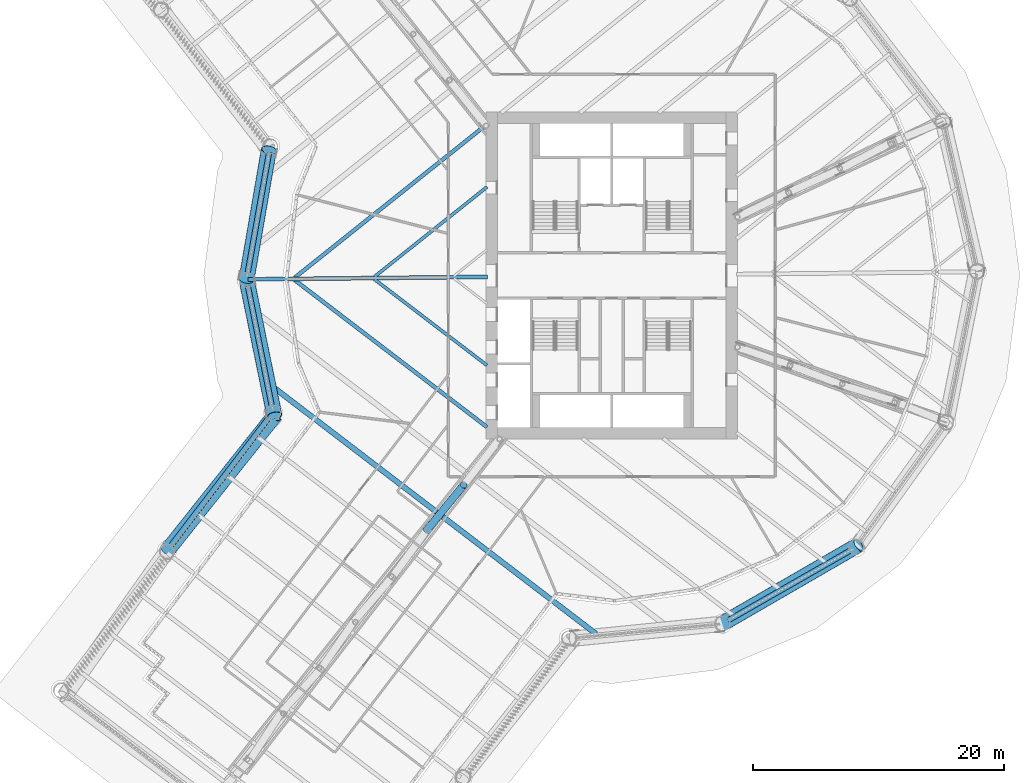
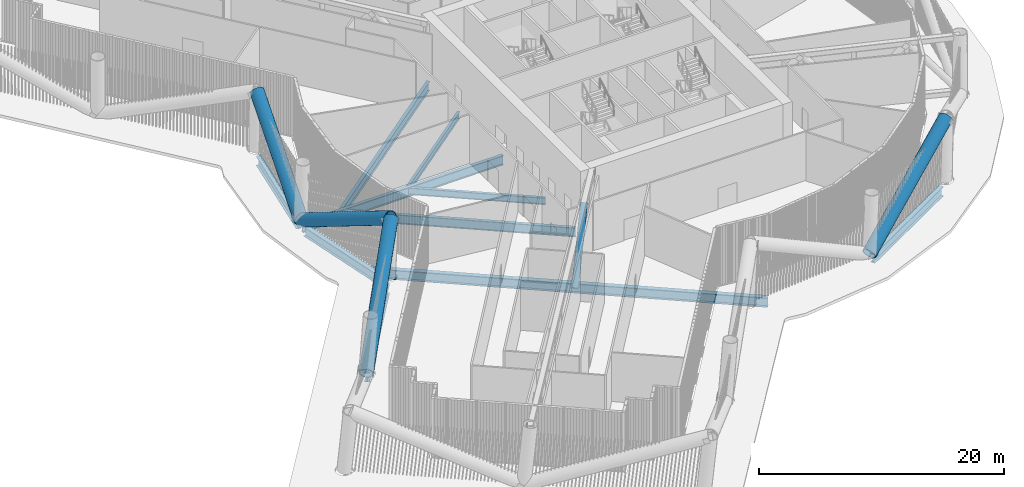
# One storey, part 4 of 48: 10 beams, 5 members.
"""IFC4 building model written with IfcOpenShell, lengths in metres."""

from ifc_helpers import new_model, si_unit, direction, frame, origin, origin_2d, place, context, subcontext, project, spatial, hollow_circle, i_section, extrude, material, material_profile, profile_set, type_object, element, save


model = new_model("IFC4")

# Units and contexts
model_context = context("Model", 3, precision=1e-05, world=origin(), true_north=direction((0.0, 1.0)))
body_context = subcontext(model_context, "Body", "Model", "MODEL_VIEW")
ifc_project = project(units=[si_unit("LENGTHUNIT", "METRE"), si_unit("AREAUNIT", "SQUARE_METRE"), si_unit("VOLUMEUNIT", "CUBIC_METRE"), si_unit("PLANEANGLEUNIT", "RADIAN"), si_unit("MASSUNIT", "GRAM", prefix="KILO")], contexts=[model_context])

# Site, building, storey
site_placement = place(None, origin())
site = spatial("IfcSite", under=ifc_project, at=site_placement, CompositionType="ELEMENT")
building_placement = place(site_placement, origin())
building = spatial("IfcBuilding", under=site, at=building_placement, Name="Tarsis Ring Headquarters", CompositionType="ELEMENT")
storey_placement = place(building_placement, frame((0.0, 0.0, 34.0)))
storey = spatial("IfcBuildingStorey", under=building, at=storey_placement, Name="L06", CompositionType="ELEMENT", Elevation=34.0)

# Beams
ifc_material_1 = material(Name="Structural steel S355", Category="steel")
ifc_material_profile_1 = material_profile(ifc_material_1, i_section(OverallWidth=0.2529296875, OverallDepth=0.67822265625, WebThickness=0.01171875, FlangeThickness=0.016357421875, at=origin_2d()), Name="W27x84")
ifc_profile_set_1 = profile_set([ifc_material_profile_1], Name="Structural steel S355")
beam_type_1 = type_object("IfcBeamType", Name="FB Floor beam W27x84", PredefinedType="JOIST", material=ifc_profile_set_1)
beam_1_placement = place(storey_placement, frame((-18.88232421875, -0.291015625, -0.63916015625), z_axis=(0.794400216555, -0.607394678885, 0.0), x_axis=(0.607394678885, 0.794400216555, 0.0)))
element("IfcBeam", 1, at=beam_1_placement, inside=storey, type_object=beam_type_1, Name="Floor beam FB5", PredefinedType="JOIST", context=body_context, shape_type="SweptSolid", body=[
    extrude(i_section(OverallWidth=0.2529296875, OverallDepth=0.67822265625, WebThickness=0.01171875, FlangeThickness=0.016357421875, at=origin_2d()), origin(), (0.0, 0.0, 1.0), 11.281005859375),
])
beam_2_placement = place(storey_placement, frame((-9.921875, 7.05029296875, -0.63916015625), z_axis=(-0.781512251412, -0.623889894848, 0.0), x_axis=(0.623889894848, -0.781512251412, 0.0)))
element("IfcBeam", 2, at=beam_2_placement, inside=storey, type_object=beam_type_1, Name="Floor beam FB5", PredefinedType="JOIST", context=body_context, shape_type="SweptSolid", body=[
    extrude(i_section(OverallWidth=0.2529296875, OverallDepth=0.67822265625, WebThickness=0.01171875, FlangeThickness=0.016357421875, at=origin_2d()), origin(), (0.0, 0.0, 1.0), 11.468017578125),
])
ifc_material_profile_2 = material_profile(ifc_material_1, i_section(OverallWidth=0.3046875, OverallDepth=0.904296875, WebThickness=0.01513671875, FlangeThickness=0.02001953125, at=origin_2d()), Name="W36x135")
ifc_profile_set_2 = profile_set([ifc_material_profile_2], Name="Structural steel S355")
beam_type_2 = type_object("IfcBeamType", Name="FB Floor beam W36x135", PredefinedType="JOIST", material=ifc_profile_set_2)
beam_3_placement = place(storey_placement, frame((-25.216796875, -0.357421875, -0.752197265625), z_axis=(0.794413614235, -0.607377155908, 0.0), x_axis=(0.607377155908, 0.794413614235, 0.0)))
element("IfcBeam", 3, at=beam_3_placement, inside=storey, type_object=beam_type_2, Name="Floor beam FB8", PredefinedType="JOIST", context=body_context, shape_type="SweptSolid", body=[
    extrude(i_section(OverallWidth=0.3046875, OverallDepth=0.904296875, WebThickness=0.01513671875, FlangeThickness=0.02001953125, at=origin_2d()), origin(), (0.0, 0.0, 1.0), 19.254638671875),
])
beam_4_placement = place(storey_placement, frame((-9.921875, 12.04052734375, -0.752197265625), z_axis=(-0.781524289712, -0.623874814839, 0.0), x_axis=(0.623874814839, -0.781524289712, 0.0)))
element("IfcBeam", 4, at=beam_4_placement, inside=storey, type_object=beam_type_2, Name="Floor beam FB8", PredefinedType="JOIST", context=body_context, shape_type="SweptSolid", body=[
    extrude(i_section(OverallWidth=0.3046875, OverallDepth=0.904296875, WebThickness=0.01513671875, FlangeThickness=0.02001953125, at=origin_2d()), origin(), (0.0, 0.0, 1.0), 19.5732421875),
])
ifc_material_profile_3 = material_profile(ifc_material_1, i_section(OverallWidth=0.309814453125, OverallDepth=0.949951171875, WebThickness=0.0244140625, FlangeThickness=0.0439453125, at=origin_2d()), Name="W36x256")
ifc_profile_set_3 = profile_set([ifc_material_profile_3], Name="Structural steel S355")
beam_type_3 = type_object("IfcBeamType", Name="FB Floor beam W36x256 spine", PredefinedType="BEAM", material=ifc_profile_set_3)
beam_5_placement = place(storey_placement, frame((-9.89990234375, -0.103759765625, -0.77490234375), z_axis=(-0.999945215197, -0.010467406809, 0.0), x_axis=(0.010467406809, -0.999945215197, 0.0)))
element("IfcBeam", 5, at=beam_5_placement, inside=storey, type_object=beam_type_3, Name="Floor beam SB11", PredefinedType="BEAM", context=body_context, shape_type="SweptSolid", body=[
    extrude(i_section(OverallWidth=0.309814453125, OverallDepth=0.949951171875, WebThickness=0.0244140625, FlangeThickness=0.0439453125, at=origin_2d()), origin(), (0.0, 0.0, 1.0), 19.0322265625),
])
ifc_material_profile_4 = material_profile(ifc_material_1, i_section(OverallWidth=0.42431640625, OverallDepth=0.947509765625, WebThickness=0.02392578125, FlangeThickness=0.042724609375, at=origin_2d()), Name="W36x302")
ifc_profile_set_4 = profile_set([ifc_material_profile_4], Name="Structural steel S355")
beam_type_4 = type_object("IfcBeamType", Name="FB Floor beam W36x302", PredefinedType="JOIST", material=ifc_profile_set_4)
beam_6_placement = place(storey_placement, frame((-27.236083984375, -8.632080078125, -0.773681640625), z_axis=(0.794413556572, -0.607377231327, 0.0), x_axis=(0.607377231327, 0.794413556572, 0.0)))
element("IfcBeam", 6, at=beam_6_placement, inside=storey, type_object=beam_type_4, Name="Floor beam FB12", PredefinedType="JOIST", context=body_context, shape_type="SweptSolid", body=[
    extrude(i_section(OverallWidth=0.42431640625, OverallDepth=0.947509765625, WebThickness=0.02392578125, FlangeThickness=0.042724609375, at=origin_2d()), origin(), (0.0, 0.0, 1.0), 32.70458984375),
])

# Members
ifc_material_profile_5 = material_profile(ifc_material_1, hollow_circle(Radius=0.3046875, WallThickness=0.02490234375, at=origin_2d()), Name="CHS 610x25")
ifc_profile_set_5 = profile_set([ifc_material_profile_5], Name="Structural steel S355")
member_type_1 = type_object("IfcMemberType", Name="OD Outrigger diagonal CHS 610x25", PredefinedType="BRACE", material=ifc_profile_set_5)
member_1_placement = place(storey_placement, frame((-11.771240234375, -16.656982421875, 5.5859375), z_axis=(-0.416030863237, -0.50716505383, -0.754786015376), x_axis=(0.77315153292, -0.634221339236, 0.0)))
element("IfcMember", 7, at=member_1_placement, inside=storey, type_object=member_type_1, Name="Outrigger diagonal OD1", PredefinedType="BRACE", context=body_context, shape_type="SweptSolid", body=[
    extrude(hollow_circle(Radius=0.3046875, WallThickness=0.02490234375, at=origin_2d()), origin(), (0.0, 0.0, 1.0), 7.064208984375),
])
ifc_material_2 = material(Name="Structural steel S460", Category="steel")
ifc_material_profile_6 = material_profile(ifc_material_2, hollow_circle(Radius=0.609619140625, WallThickness=0.050048828125, at=origin_2d()), Name="CHS 1219x50")
ifc_profile_set_6 = profile_set([ifc_material_profile_6], Name="Structural steel S460")
member_type_2 = type_object("IfcMemberType", Name="TD Belt truss diagonal CHS 1219x50", PredefinedType="BRACE", material=ifc_profile_set_6)
member_2_placement = place(storey_placement, frame((-29.046875, -0.30419921875, 0.0), z_axis=(0.176553643562, -0.861266132293, 0.476497072719), x_axis=(0.979628738936, 0.200817165231, 0.0)))
element("IfcMember", 8, at=member_2_placement, inside=storey, type_object=member_type_2, Name="Belt truss diagonal TD1", PredefinedType="BRACE", context=body_context, shape_type="SweptSolid", body=[
    extrude(hollow_circle(Radius=0.609619140625, WallThickness=0.050048828125, at=origin_2d()), origin(), (0.0, 0.0, 1.0), 12.591796875),
])
member_3_placement = place(storey_placement, frame((-35.3828125, -21.911865234375, 0.0), z_axis=(0.570486952118, 0.71736399102, 0.399916918685), x_axis=(-0.782677322391, 0.622427673722, 0.0)))
element("IfcMember", 9, at=member_3_placement, inside=storey, type_object=member_type_2, Name="Belt truss diagonal TD1", PredefinedType="BRACE", context=body_context, shape_type="SweptSolid", body=[
    extrude(hollow_circle(Radius=0.609619140625, WallThickness=0.050048828125, at=origin_2d()), origin(), (0.0, 0.0, 1.0), 15.003173828125),
])
member_4_placement = place(storey_placement, frame((8.77001953125, -27.69287109375, 0.0), z_axis=(0.780940518079, 0.451658708534, 0.431435184271), x_axis=(-0.500650384455, 0.865649578377, 0.0)))
element("IfcMember", 10, at=member_4_placement, inside=storey, type_object=member_type_2, Name="Belt truss diagonal TD1", PredefinedType="BRACE", context=body_context, shape_type="SweptSolid", body=[
    extrude(hollow_circle(Radius=0.609619140625, WallThickness=0.050048828125, at=origin_2d()), origin(), (0.0, 0.0, 1.0), 13.906982421875),
])
member_5_placement = place(storey_placement, frame((-29.046875, -0.30419921875, 0.0), z_axis=(0.147459532585, 0.855063012545, 0.497114605325), x_axis=(-0.985453385121, 0.169945949506, 0.0)))
element("IfcMember", 11, at=member_5_placement, inside=storey, type_object=member_type_2, Name="Belt truss diagonal TD1", PredefinedType="BRACE", context=body_context, shape_type="SweptSolid", body=[
    extrude(hollow_circle(Radius=0.609619140625, WallThickness=0.050048828125, at=origin_2d()), origin(), (0.0, 0.0, 1.0), 12.069580078125),
])

# Beams
beam_type_5 = type_object("IfcBeamType", Name="XG Ring girder W36x302", PredefinedType="BEAM", material=ifc_profile_set_4)
beam_7_placement = place(storey_placement, frame((-28.939453125, -0.84228515625, -0.773681640625), z_axis=(0.195679340108, -0.98066793353, 0.0), x_axis=(0.98066793353, 0.195679340108, 0.0)))
element("IfcBeam", 12, at=beam_7_placement, inside=storey, type_object=beam_type_5, Name="Ring girder XG1", PredefinedType="BEAM", context=body_context, shape_type="SweptSolid", body=[
    extrude(i_section(OverallWidth=0.42431640625, OverallDepth=0.947509765625, WebThickness=0.02392578125, FlangeThickness=0.042724609375, at=origin_2d()), origin(), (0.0, 0.0, 1.0), 9.67431640625),
])
beam_8_placement = place(storey_placement, frame((-27.272216796875, -11.303466796875, -0.773681640625), z_axis=(-0.607375088665, -0.794415194762, 0.0), x_axis=(0.794415194762, -0.607375088665, 0.0)))
element("IfcBeam", 13, at=beam_8_placement, inside=storey, type_object=beam_type_5, Name="Ring girder XG1", PredefinedType="BEAM", context=body_context, shape_type="SweptSolid", body=[
    extrude(i_section(OverallWidth=0.42431640625, OverallDepth=0.947509765625, WebThickness=0.02392578125, FlangeThickness=0.042724609375, at=origin_2d()), origin(), (0.0, 0.0, 1.0), 12.804931640625),
])
beam_9_placement = place(storey_placement, frame((9.24658203125, -27.4208984375, -0.773681640625), z_axis=(0.868245836608, 0.496134222981, 0.0), x_axis=(-0.496134222981, 0.868245836608, 0.0)))
element("IfcBeam", 14, at=beam_9_placement, inside=storey, type_object=beam_type_5, Name="Ring girder XG1", PredefinedType="BEAM", context=body_context, shape_type="SweptSolid", body=[
    extrude(i_section(OverallWidth=0.42431640625, OverallDepth=0.947509765625, WebThickness=0.02392578125, FlangeThickness=0.042724609375, at=origin_2d()), origin(), (0.0, 0.0, 1.0), 11.151611328125),
])
beam_10_placement = place(storey_placement, frame((-27.2568359375, 9.760986328125, -0.773681640625), z_axis=(-0.175111071002, -0.984548684836, 0.0), x_axis=(0.984548684836, -0.175111071002, 0.0)))
element("IfcBeam", 15, at=beam_10_placement, inside=storey, type_object=beam_type_5, Name="Ring girder XG1", PredefinedType="BEAM", context=body_context, shape_type="SweptSolid", body=[
    extrude(i_section(OverallWidth=0.42431640625, OverallDepth=0.947509765625, WebThickness=0.02392578125, FlangeThickness=0.042724609375, at=origin_2d()), origin(), (0.0, 0.0, 1.0), 9.67431640625),
])

save(model, "model.ifc")
